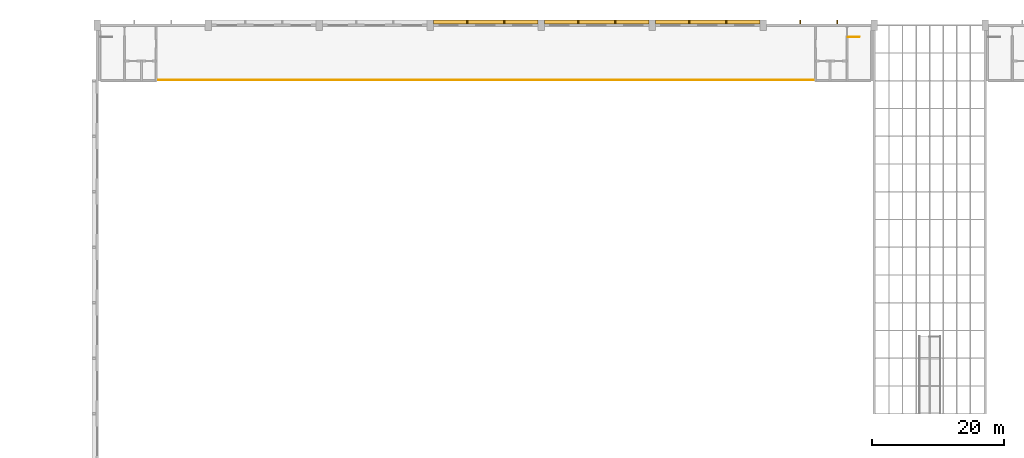
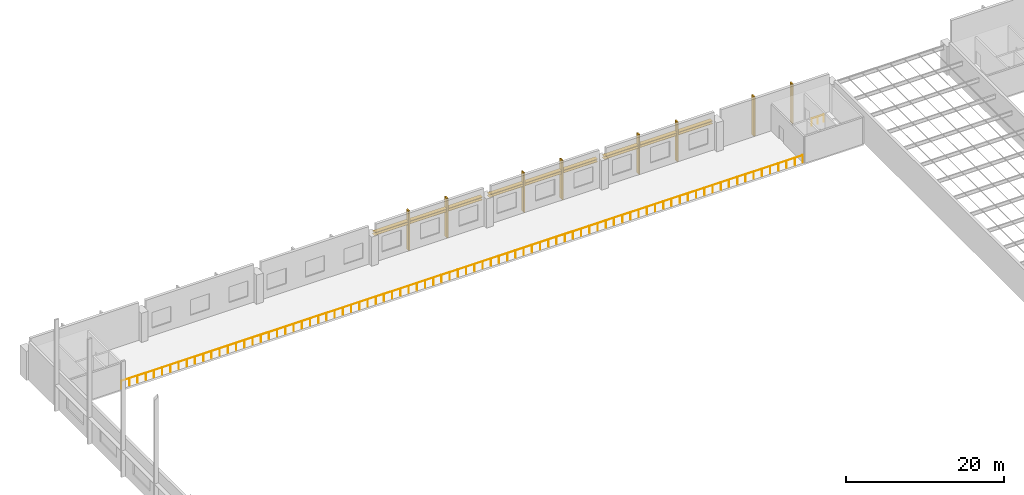
# One storey, part 155 of 162: 18 shading devices, 8 coverings, 2 railings.
"""IFC4 building model written with IfcOpenShell, lengths in metres."""

from ifc_helpers import new_model, si_unit, direction, frame, origin, origin_2d, place, context, subcontext, project, spatial, rectangle, circle, extrude, material, layer, layer_set, type_object, element, save


model = new_model("IFC4")

# Units and contexts
model_context = context("Model", 3, precision=1e-05, world=origin(), true_north=direction((0.0, 1.0)))
body_context = subcontext(model_context, "Body", "Model", "MODEL_VIEW")
ifc_project = project(units=[si_unit("LENGTHUNIT", "METRE"), si_unit("AREAUNIT", "SQUARE_METRE"), si_unit("VOLUMEUNIT", "CUBIC_METRE"), si_unit("PLANEANGLEUNIT", "RADIAN"), si_unit("MASSUNIT", "GRAM", prefix="KILO")], contexts=[model_context])

# Site, building, storey
site_placement = place(None, origin())
site = spatial("IfcSite", under=ifc_project, at=site_placement, CompositionType="ELEMENT")
building_placement = place(site_placement, origin())
building = spatial("IfcBuilding", under=site, at=building_placement, Name="Rain Tree Exposition and Congress Centre", CompositionType="ELEMENT")
storey_placement = place(building_placement, frame((0.0, 0.0, 6.0)))
storey = spatial("IfcBuildingStorey", under=building, at=storey_placement, Name="L01", CompositionType="ELEMENT", Elevation=6.0)

# Railing
ifc_material_1 = material(Name="Steel S355J2H", Category="steel")
railing_type_1 = type_object("IfcRailingType", Name="Gallery guard 1200", PredefinedType="GUARDRAIL", material=ifc_material_1)
railing_1_placement = place(storey_placement, frame((17.425048828125, 193.300048828125, 0.0)))
element("IfcRailing", 1, at=railing_1_placement, inside=storey, type_object=railing_type_1, Name="Gallery guard N", PredefinedType="GUARDRAIL", context=body_context, shape_type="SweptSolid", body=[
    extrude(circle(Radius=0.02392578125, at=origin_2d()), frame((0.0, 0.0, 1.17578125), z_axis=(1.0, 0.0, 0.0), x_axis=(0.0, 1.0, 0.0)), (0.0, 0.0, 1.0), 99.550048828125),
    extrude(circle(Radius=0.02099609375, at=origin_2d()), origin(), (0.0, 0.0, 1.0), 1.15185546875),
    extrude(circle(Radius=0.02099609375, at=origin_2d()), frame((1.199462890625, 0.0, 0.0)), (0.0, 0.0, 1.0), 1.15185546875),
    extrude(circle(Radius=0.02099609375, at=origin_2d()), frame((2.398681640625, 0.0, 0.0)), (0.0, 0.0, 1.0), 1.15185546875),
    extrude(circle(Radius=0.02099609375, at=origin_2d()), frame((3.59814453125, 0.0, 0.0)), (0.0, 0.0, 1.0), 1.15185546875),
    extrude(circle(Radius=0.02099609375, at=origin_2d()), frame((4.797607421875, 0.0, 0.0)), (0.0, 0.0, 1.0), 1.15185546875),
    extrude(circle(Radius=0.02099609375, at=origin_2d()), frame((5.9970703125, 0.0, 0.0)), (0.0, 0.0, 1.0), 1.15185546875),
    extrude(circle(Radius=0.02099609375, at=origin_2d()), frame((7.1962890625, 0.0, 0.0)), (0.0, 0.0, 1.0), 1.15185546875),
    extrude(circle(Radius=0.02099609375, at=origin_2d()), frame((8.395751953125, 0.0, 0.0)), (0.0, 0.0, 1.0), 1.15185546875),
    extrude(circle(Radius=0.02099609375, at=origin_2d()), frame((9.59521484375, 0.0, 0.0)), (0.0, 0.0, 1.0), 1.15185546875),
    extrude(circle(Radius=0.02099609375, at=origin_2d()), frame((10.794677734375, 0.0, 0.0)), (0.0, 0.0, 1.0), 1.15185546875),
    extrude(circle(Radius=0.02099609375, at=origin_2d()), frame((11.993896484375, 0.0, 0.0)), (0.0, 0.0, 1.0), 1.15185546875),
    extrude(circle(Radius=0.02099609375, at=origin_2d()), frame((13.193359375, 0.0, 0.0)), (0.0, 0.0, 1.0), 1.15185546875),
    extrude(circle(Radius=0.02099609375, at=origin_2d()), frame((14.392822265625, 0.0, 0.0)), (0.0, 0.0, 1.0), 1.15185546875),
    extrude(circle(Radius=0.02099609375, at=origin_2d()), frame((15.59228515625, 0.0, 0.0)), (0.0, 0.0, 1.0), 1.15185546875),
    extrude(circle(Radius=0.02099609375, at=origin_2d()), frame((16.79150390625, 0.0, 0.0)), (0.0, 0.0, 1.0), 1.15185546875),
    extrude(circle(Radius=0.02099609375, at=origin_2d()), frame((17.990966796875, 0.0, 0.0)), (0.0, 0.0, 1.0), 1.15185546875),
    extrude(circle(Radius=0.02099609375, at=origin_2d()), frame((19.1904296875, 0.0, 0.0)), (0.0, 0.0, 1.0), 1.15185546875),
    extrude(circle(Radius=0.02099609375, at=origin_2d()), frame((20.3896484375, 0.0, 0.0)), (0.0, 0.0, 1.0), 1.15185546875),
    extrude(circle(Radius=0.02099609375, at=origin_2d()), frame((21.589111328125, 0.0, 0.0)), (0.0, 0.0, 1.0), 1.15185546875),
    extrude(circle(Radius=0.02099609375, at=origin_2d()), frame((22.78857421875, 0.0, 0.0)), (0.0, 0.0, 1.0), 1.15185546875),
    extrude(circle(Radius=0.02099609375, at=origin_2d()), frame((23.988037109375, 0.0, 0.0)), (0.0, 0.0, 1.0), 1.15185546875),
    extrude(circle(Radius=0.02099609375, at=origin_2d()), frame((25.187255859375, 0.0, 0.0)), (0.0, 0.0, 1.0), 1.15185546875),
    extrude(circle(Radius=0.02099609375, at=origin_2d()), frame((26.38671875, 0.0, 0.0)), (0.0, 0.0, 1.0), 1.15185546875),
    extrude(circle(Radius=0.02099609375, at=origin_2d()), frame((27.586181640625, 0.0, 0.0)), (0.0, 0.0, 1.0), 1.15185546875),
    extrude(circle(Radius=0.02099609375, at=origin_2d()), frame((28.78564453125, 0.0, 0.0)), (0.0, 0.0, 1.0), 1.15185546875),
    extrude(circle(Radius=0.02099609375, at=origin_2d()), frame((29.98486328125, 0.0, 0.0)), (0.0, 0.0, 1.0), 1.15185546875),
    extrude(circle(Radius=0.02099609375, at=origin_2d()), frame((31.184326171875, 0.0, 0.0)), (0.0, 0.0, 1.0), 1.15185546875),
    extrude(circle(Radius=0.02099609375, at=origin_2d()), frame((32.3837890625, 0.0, 0.0)), (0.0, 0.0, 1.0), 1.15185546875),
    extrude(circle(Radius=0.02099609375, at=origin_2d()), frame((33.583251953125, 0.0, 0.0)), (0.0, 0.0, 1.0), 1.15185546875),
    extrude(circle(Radius=0.02099609375, at=origin_2d()), frame((34.782470703125, 0.0, 0.0)), (0.0, 0.0, 1.0), 1.15185546875),
    extrude(circle(Radius=0.02099609375, at=origin_2d()), frame((35.98193359375, 0.0, 0.0)), (0.0, 0.0, 1.0), 1.15185546875),
    extrude(circle(Radius=0.02099609375, at=origin_2d()), frame((37.181396484375, 0.0, 0.0)), (0.0, 0.0, 1.0), 1.15185546875),
    extrude(circle(Radius=0.02099609375, at=origin_2d()), frame((38.380859375, 0.0, 0.0)), (0.0, 0.0, 1.0), 1.15185546875),
    extrude(circle(Radius=0.02099609375, at=origin_2d()), frame((39.580078125, 0.0, 0.0)), (0.0, 0.0, 1.0), 1.15185546875),
    extrude(circle(Radius=0.02099609375, at=origin_2d()), frame((40.779541015625, 0.0, 0.0)), (0.0, 0.0, 1.0), 1.15185546875),
    extrude(circle(Radius=0.02099609375, at=origin_2d()), frame((41.97900390625, 0.0, 0.0)), (0.0, 0.0, 1.0), 1.15185546875),
    extrude(circle(Radius=0.02099609375, at=origin_2d()), frame((43.17822265625, 0.0, 0.0)), (0.0, 0.0, 1.0), 1.15185546875),
    extrude(circle(Radius=0.02099609375, at=origin_2d()), frame((44.377685546875, 0.0, 0.0)), (0.0, 0.0, 1.0), 1.15185546875),
    extrude(circle(Radius=0.02099609375, at=origin_2d()), frame((45.5771484375, 0.0, 0.0)), (0.0, 0.0, 1.0), 1.15185546875),
    extrude(circle(Radius=0.02099609375, at=origin_2d()), frame((46.776611328125, 0.0, 0.0)), (0.0, 0.0, 1.0), 1.15185546875),
    extrude(circle(Radius=0.02099609375, at=origin_2d()), frame((47.975830078125, 0.0, 0.0)), (0.0, 0.0, 1.0), 1.15185546875),
    extrude(circle(Radius=0.02099609375, at=origin_2d()), frame((49.17529296875, 0.0, 0.0)), (0.0, 0.0, 1.0), 1.15185546875),
    extrude(circle(Radius=0.02099609375, at=origin_2d()), frame((50.374755859375, 0.0, 0.0)), (0.0, 0.0, 1.0), 1.15185546875),
    extrude(circle(Radius=0.02099609375, at=origin_2d()), frame((51.57421875, 0.0, 0.0)), (0.0, 0.0, 1.0), 1.15185546875),
    extrude(circle(Radius=0.02099609375, at=origin_2d()), frame((52.7734375, 0.0, 0.0)), (0.0, 0.0, 1.0), 1.15185546875),
    extrude(circle(Radius=0.02099609375, at=origin_2d()), frame((53.972900390625, 0.0, 0.0)), (0.0, 0.0, 1.0), 1.15185546875),
    extrude(circle(Radius=0.02099609375, at=origin_2d()), frame((55.17236328125, 0.0, 0.0)), (0.0, 0.0, 1.0), 1.15185546875),
    extrude(circle(Radius=0.02099609375, at=origin_2d()), frame((56.371826171875, 0.0, 0.0)), (0.0, 0.0, 1.0), 1.15185546875),
    extrude(circle(Radius=0.02099609375, at=origin_2d()), frame((57.571044921875, 0.0, 0.0)), (0.0, 0.0, 1.0), 1.15185546875),
    extrude(circle(Radius=0.02099609375, at=origin_2d()), frame((58.7705078125, 0.0, 0.0)), (0.0, 0.0, 1.0), 1.15185546875),
    extrude(circle(Radius=0.02099609375, at=origin_2d()), frame((59.969970703125, 0.0, 0.0)), (0.0, 0.0, 1.0), 1.15185546875),
    extrude(circle(Radius=0.02099609375, at=origin_2d()), frame((61.169189453125, 0.0, 0.0)), (0.0, 0.0, 1.0), 1.15185546875),
    extrude(circle(Radius=0.02099609375, at=origin_2d()), frame((62.36865234375, 0.0, 0.0)), (0.0, 0.0, 1.0), 1.15185546875),
    extrude(circle(Radius=0.02099609375, at=origin_2d()), frame((63.568115234375, 0.0, 0.0)), (0.0, 0.0, 1.0), 1.15185546875),
    extrude(circle(Radius=0.02099609375, at=origin_2d()), frame((64.767578125, 0.0, 0.0)), (0.0, 0.0, 1.0), 1.15185546875),
    extrude(circle(Radius=0.02099609375, at=origin_2d()), frame((65.966796875, 0.0, 0.0)), (0.0, 0.0, 1.0), 1.15185546875),
    extrude(circle(Radius=0.02099609375, at=origin_2d()), frame((67.166259765625, 0.0, 0.0)), (0.0, 0.0, 1.0), 1.15185546875),
    extrude(circle(Radius=0.02099609375, at=origin_2d()), frame((68.36572265625, 0.0, 0.0)), (0.0, 0.0, 1.0), 1.15185546875),
    extrude(circle(Radius=0.02099609375, at=origin_2d()), frame((69.565185546875, 0.0, 0.0)), (0.0, 0.0, 1.0), 1.15185546875),
    extrude(circle(Radius=0.02099609375, at=origin_2d()), frame((70.764404296875, 0.0, 0.0)), (0.0, 0.0, 1.0), 1.15185546875),
    extrude(circle(Radius=0.02099609375, at=origin_2d()), frame((71.9638671875, 0.0, 0.0)), (0.0, 0.0, 1.0), 1.15185546875),
    extrude(circle(Radius=0.02099609375, at=origin_2d()), frame((73.163330078125, 0.0, 0.0)), (0.0, 0.0, 1.0), 1.15185546875),
    extrude(circle(Radius=0.02099609375, at=origin_2d()), frame((74.36279296875, 0.0, 0.0)), (0.0, 0.0, 1.0), 1.15185546875),
    extrude(circle(Radius=0.02099609375, at=origin_2d()), frame((75.56201171875, 0.0, 0.0)), (0.0, 0.0, 1.0), 1.15185546875),
    extrude(circle(Radius=0.02099609375, at=origin_2d()), frame((76.761474609375, 0.0, 0.0)), (0.0, 0.0, 1.0), 1.15185546875),
    extrude(circle(Radius=0.02099609375, at=origin_2d()), frame((77.9609375, 0.0, 0.0)), (0.0, 0.0, 1.0), 1.15185546875),
    extrude(circle(Radius=0.02099609375, at=origin_2d()), frame((79.160400390625, 0.0, 0.0)), (0.0, 0.0, 1.0), 1.15185546875),
    extrude(circle(Radius=0.02099609375, at=origin_2d()), frame((80.359619140625, 0.0, 0.0)), (0.0, 0.0, 1.0), 1.15185546875),
    extrude(circle(Radius=0.02099609375, at=origin_2d()), frame((81.55908203125, 0.0, 0.0)), (0.0, 0.0, 1.0), 1.15185546875),
    extrude(circle(Radius=0.02099609375, at=origin_2d()), frame((82.758544921875, 0.0, 0.0)), (0.0, 0.0, 1.0), 1.15185546875),
    extrude(circle(Radius=0.02099609375, at=origin_2d()), frame((83.957763671875, 0.0, 0.0)), (0.0, 0.0, 1.0), 1.15185546875),
    extrude(circle(Radius=0.02099609375, at=origin_2d()), frame((85.1572265625, 0.0, 0.0)), (0.0, 0.0, 1.0), 1.15185546875),
    extrude(circle(Radius=0.02099609375, at=origin_2d()), frame((86.356689453125, 0.0, 0.0)), (0.0, 0.0, 1.0), 1.15185546875),
    extrude(circle(Radius=0.02099609375, at=origin_2d()), frame((87.55615234375, 0.0, 0.0)), (0.0, 0.0, 1.0), 1.15185546875),
    extrude(circle(Radius=0.02099609375, at=origin_2d()), frame((88.75537109375, 0.0, 0.0)), (0.0, 0.0, 1.0), 1.15185546875),
    extrude(circle(Radius=0.02099609375, at=origin_2d()), frame((89.954833984375, 0.0, 0.0)), (0.0, 0.0, 1.0), 1.15185546875),
    extrude(circle(Radius=0.02099609375, at=origin_2d()), frame((91.154296875, 0.0, 0.0)), (0.0, 0.0, 1.0), 1.15185546875),
    extrude(circle(Radius=0.02099609375, at=origin_2d()), frame((92.353759765625, 0.0, 0.0)), (0.0, 0.0, 1.0), 1.15185546875),
    extrude(circle(Radius=0.02099609375, at=origin_2d()), frame((93.552978515625, 0.0, 0.0)), (0.0, 0.0, 1.0), 1.15185546875),
    extrude(circle(Radius=0.02099609375, at=origin_2d()), frame((94.75244140625, 0.0, 0.0)), (0.0, 0.0, 1.0), 1.15185546875),
    extrude(circle(Radius=0.02099609375, at=origin_2d()), frame((95.951904296875, 0.0, 0.0)), (0.0, 0.0, 1.0), 1.15185546875),
    extrude(circle(Radius=0.02099609375, at=origin_2d()), frame((97.1513671875, 0.0, 0.0)), (0.0, 0.0, 1.0), 1.15185546875),
    extrude(circle(Radius=0.02099609375, at=origin_2d()), frame((98.3505859375, 0.0, 0.0)), (0.0, 0.0, 1.0), 1.15185546875),
    extrude(circle(Radius=0.02099609375, at=origin_2d()), frame((99.550048828125, 0.0, 0.0)), (0.0, 0.0, 1.0), 1.15185546875),
])

# Coverings
ifc_material_2 = material(Name="Precast concrete C50/60", Category="concrete")
ifc_layer_1 = layer(ifc_material_2, 0.199951171875)
ifc_layer_set_1 = layer_set([ifc_layer_1], Name="Precast concrete C50/60")
covering_type = type_object("IfcCoveringType", Name="North face fin 200x600", PredefinedType="CLADDING", material=ifc_layer_set_1)
for number, where, z_axis, x_axis, name in (
    (2, (64.39990234375, 202.10009765625, -0.300048828125), (0.0, 0.0, 1.0), (1.0, 0.0, 0.0), "Facade fin N4.1"),
    (3, (70.0, 202.10009765625, -0.300048828125), (0.0, 0.0, 1.0), (1.0, 0.0, 0.0), "Facade fin N4.2"),
    (4, (81.199951171875, 202.10009765625, -0.300048828125), (0.0, 0.0, 1.0), (1.0, 0.0, 0.0), "Facade fin N5.1"),
    (5, (86.800048828125, 202.10009765625, -0.300048828125), (0.0, 0.0, 1.0), (1.0, 0.0, 0.0), "Facade fin N5.2"),
    (6, (98.0, 202.10009765625, -0.300048828125), (0.0, 0.0, 1.0), (1.0, 0.0, 0.0), "Facade fin N6.1"),
    (7, (103.60009765625, 202.10009765625, -0.300048828125), (0.0, 0.0, 1.0), (1.0, 0.0, 0.0), "Facade fin N6.2"),
    (8, (114.800048828125, 202.10009765625, -0.300048828125), (0.0, 0.0, 1.0), (1.0, 0.0, 0.0), "Facade fin N7.1"),
    (9, (120.39990234375, 202.10009765625, -0.300048828125), (0.0, 0.0, 1.0), (1.0, 0.0, 0.0), "Facade fin N7.2"),
):
    element("IfcCovering", number, at=place(storey_placement, frame(where, z_axis=z_axis, x_axis=x_axis)), inside=storey, type_object=covering_type, Name=name, PredefinedType="CLADDING", context=body_context, shape_type="SweptSolid", body=[
        extrude(rectangle(XDim=0.199951171875, YDim=0.60009765625, at=origin_2d()), origin(), (0.0, 0.0, 1.0), 6.10009765625),
    ])

# Railing
ifc_material_3 = material(Name="Steel S355J2H", Category="steel")
railing_type_2 = type_object("IfcRailingType", Name="Stair guard 1100", PredefinedType="GUARDRAIL", material=ifc_material_3)
railing_2_placement = place(storey_placement, frame((122.02490234375, 199.85009765625, 0.0)))
element("IfcRailing", 10, at=railing_2_placement, inside=storey, type_object=railing_type_2, Name="L01 ST-H4 top well guard 1", PredefinedType="GUARDRAIL", context=body_context, shape_type="SweptSolid", body=[
    extrude(circle(Radius=0.02392578125, at=origin_2d()), frame((0.0, 0.0, 1.076171875), z_axis=(1.0, 0.0, 0.0), x_axis=(0.0, 1.0, 0.0)), (0.0, 0.0, 1.0), 1.75),
    extrude(circle(Radius=0.02099609375, at=origin_2d()), origin(), (0.0, 0.0, 1.0), 1.052001953125),
    extrude(circle(Radius=0.02099609375, at=origin_2d()), frame((0.875, 0.0, 0.0)), (0.0, 0.0, 1.0), 1.052001953125),
    extrude(circle(Radius=0.02099609375, at=origin_2d()), frame((1.75, 0.0, 0.0)), (0.0, 0.0, 1.0), 1.052001953125),
])

# Shading devices
ifc_material_4 = material(Name="Aluminium", Category="aluminium")
ifc_layer_2 = layer(ifc_material_4, 0.06005859375)
ifc_layer_set_2 = layer_set([ifc_layer_2], Name="Aluminium")
shading_device_type = type_object("IfcShadingDeviceType", Name="Sun blade 60x600", PredefinedType="JALOUSIE", material=ifc_layer_set_2)
for number, where, z_axis, x_axis, name in (
    (11, (61.800048828125, 202.10009765625, 3.75), (0.0, 0.0, 1.0), (1.0, 0.0, 0.0), "Sun blade N4.1.1"),
    (12, (61.800048828125, 202.10009765625, 4.14990234375), (0.0, 0.0, 1.0), (1.0, 0.0, 0.0), "Sun blade N4.1.2"),
):
    element("IfcShadingDevice", number, at=place(storey_placement, frame(where, z_axis=z_axis, x_axis=x_axis)), inside=storey, type_object=shading_device_type, Name=name, PredefinedType="JALOUSIE", context=body_context, shape_type="SweptSolid", body=[
        extrude(rectangle(XDim=5.0, YDim=0.60009765625, at=origin_2d()), origin(), (0.0, 0.0, 1.0), 0.06005859375),
    ])
for number, where, z_axis, x_axis, name in (
    (13, (67.199951171875, 202.10009765625, 3.75), (0.0, 0.0, 1.0), (1.0, 0.0, 0.0), "Sun blade N4.2.1"),
    (14, (67.199951171875, 202.10009765625, 4.14990234375), (0.0, 0.0, 1.0), (1.0, 0.0, 0.0), "Sun blade N4.2.2"),
):
    element("IfcShadingDevice", number, at=place(storey_placement, frame(where, z_axis=z_axis, x_axis=x_axis)), inside=storey, type_object=shading_device_type, Name=name, PredefinedType="JALOUSIE", context=body_context, shape_type="SweptSolid", body=[
        extrude(rectangle(XDim=5.39990234375, YDim=0.60009765625, at=origin_2d()), origin(), (0.0, 0.0, 1.0), 0.06005859375),
    ])
for number, where, z_axis, x_axis, name in (
    (15, (72.60009765625, 202.10009765625, 3.75), (0.0, 0.0, 1.0), (1.0, 0.0, 0.0), "Sun blade N4.3.1"),
    (16, (72.60009765625, 202.10009765625, 4.14990234375), (0.0, 0.0, 1.0), (1.0, 0.0, 0.0), "Sun blade N4.3.2"),
    (17, (78.60009765625, 202.10009765625, 3.75), (0.0, 0.0, 1.0), (1.0, 0.0, 0.0), "Sun blade N5.1.1"),
    (18, (78.60009765625, 202.10009765625, 4.14990234375), (0.0, 0.0, 1.0), (1.0, 0.0, 0.0), "Sun blade N5.1.2"),
):
    element("IfcShadingDevice", number, at=place(storey_placement, frame(where, z_axis=z_axis, x_axis=x_axis)), inside=storey, type_object=shading_device_type, Name=name, PredefinedType="JALOUSIE", context=body_context, shape_type="SweptSolid", body=[
        extrude(rectangle(XDim=5.0, YDim=0.60009765625, at=origin_2d()), origin(), (0.0, 0.0, 1.0), 0.06005859375),
    ])
for number, where, z_axis, x_axis, name in (
    (19, (84.0, 202.10009765625, 3.75), (0.0, 0.0, 1.0), (1.0, 0.0, 0.0), "Sun blade N5.2.1"),
    (20, (84.0, 202.10009765625, 4.14990234375), (0.0, 0.0, 1.0), (1.0, 0.0, 0.0), "Sun blade N5.2.2"),
):
    element("IfcShadingDevice", number, at=place(storey_placement, frame(where, z_axis=z_axis, x_axis=x_axis)), inside=storey, type_object=shading_device_type, Name=name, PredefinedType="JALOUSIE", context=body_context, shape_type="SweptSolid", body=[
        extrude(rectangle(XDim=5.39990234375, YDim=0.60009765625, at=origin_2d()), origin(), (0.0, 0.0, 1.0), 0.06005859375),
    ])
for number, where, z_axis, x_axis, name in (
    (21, (89.39990234375, 202.10009765625, 3.75), (0.0, 0.0, 1.0), (1.0, 0.0, 0.0), "Sun blade N5.3.1"),
    (22, (89.39990234375, 202.10009765625, 4.14990234375), (0.0, 0.0, 1.0), (1.0, 0.0, 0.0), "Sun blade N5.3.2"),
    (23, (95.39990234375, 202.10009765625, 3.75), (0.0, 0.0, 1.0), (1.0, 0.0, 0.0), "Sun blade N6.1.1"),
    (24, (95.39990234375, 202.10009765625, 4.14990234375), (0.0, 0.0, 1.0), (1.0, 0.0, 0.0), "Sun blade N6.1.2"),
):
    element("IfcShadingDevice", number, at=place(storey_placement, frame(where, z_axis=z_axis, x_axis=x_axis)), inside=storey, type_object=shading_device_type, Name=name, PredefinedType="JALOUSIE", context=body_context, shape_type="SweptSolid", body=[
        extrude(rectangle(XDim=5.0, YDim=0.60009765625, at=origin_2d()), origin(), (0.0, 0.0, 1.0), 0.06005859375),
    ])
for number, where, z_axis, x_axis, name in (
    (25, (100.800048828125, 202.10009765625, 3.75), (0.0, 0.0, 1.0), (1.0, 0.0, 0.0), "Sun blade N6.2.1"),
    (26, (100.800048828125, 202.10009765625, 4.14990234375), (0.0, 0.0, 1.0), (1.0, 0.0, 0.0), "Sun blade N6.2.2"),
):
    element("IfcShadingDevice", number, at=place(storey_placement, frame(where, z_axis=z_axis, x_axis=x_axis)), inside=storey, type_object=shading_device_type, Name=name, PredefinedType="JALOUSIE", context=body_context, shape_type="SweptSolid", body=[
        extrude(rectangle(XDim=5.39990234375, YDim=0.60009765625, at=origin_2d()), origin(), (0.0, 0.0, 1.0), 0.06005859375),
    ])
for number, where, z_axis, x_axis, name in (
    (27, (106.199951171875, 202.10009765625, 3.75), (0.0, 0.0, 1.0), (1.0, 0.0, 0.0), "Sun blade N6.3.1"),
    (28, (106.199951171875, 202.10009765625, 4.14990234375), (0.0, 0.0, 1.0), (1.0, 0.0, 0.0), "Sun blade N6.3.2"),
):
    element("IfcShadingDevice", number, at=place(storey_placement, frame(where, z_axis=z_axis, x_axis=x_axis)), inside=storey, type_object=shading_device_type, Name=name, PredefinedType="JALOUSIE", context=body_context, shape_type="SweptSolid", body=[
        extrude(rectangle(XDim=5.0, YDim=0.60009765625, at=origin_2d()), origin(), (0.0, 0.0, 1.0), 0.06005859375),
    ])

save(model, "model.ifc")
